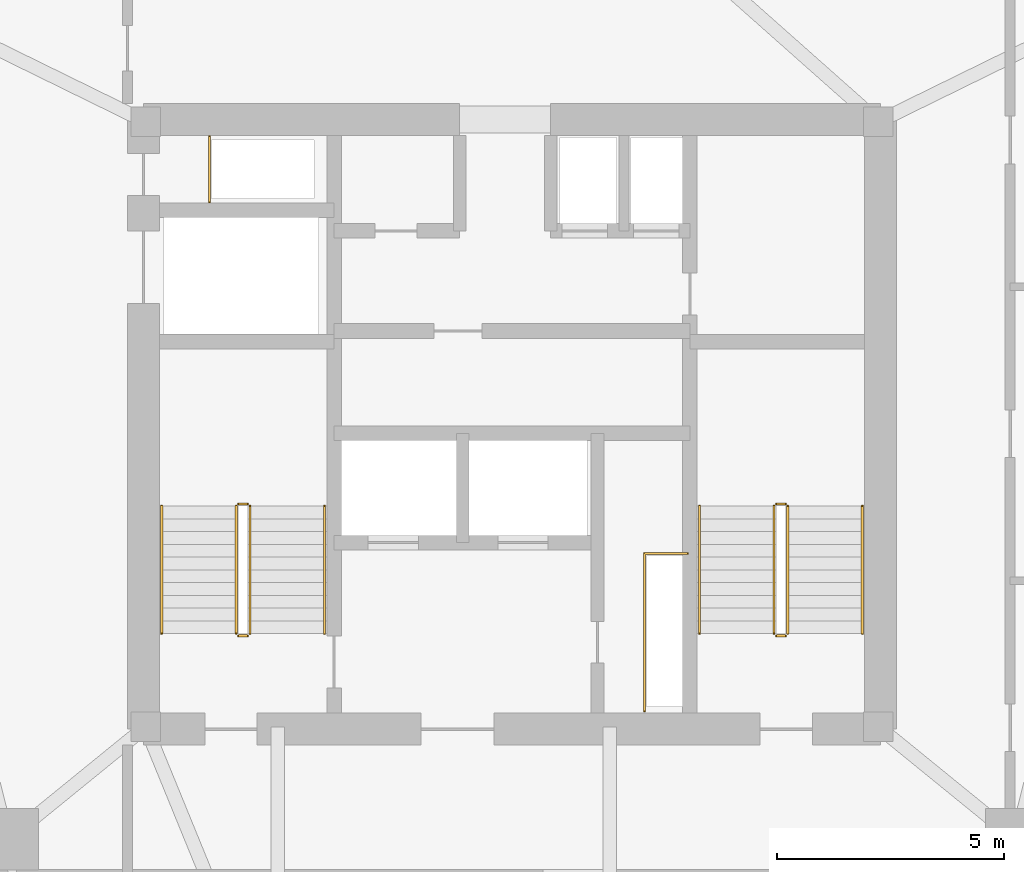
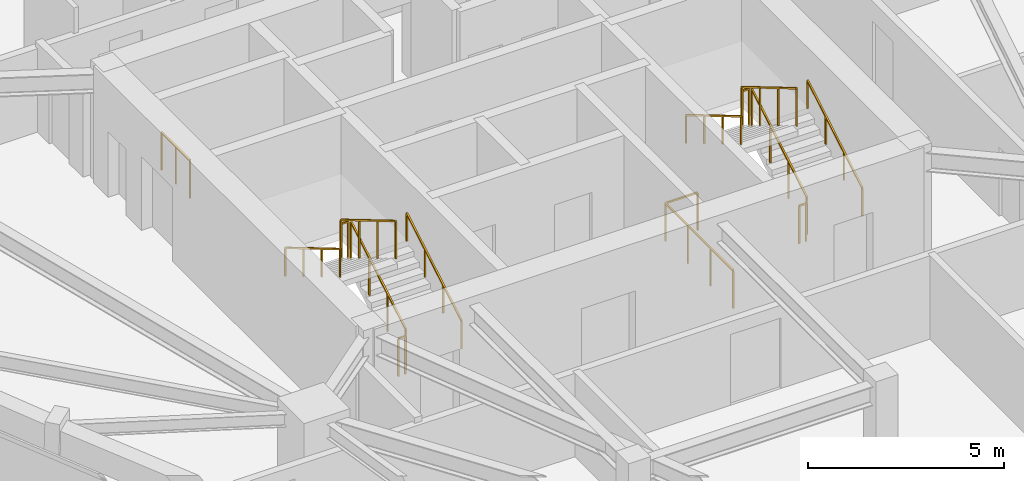
# One storey, part 12 of 12: 14 railings.
"""IFC4 building model written with IfcOpenShell, lengths in metres."""

from ifc_helpers import new_model, si_unit, direction, frame, origin, origin_2d, place, context, subcontext, project, spatial, rectangle, extrude, material, type_object, element, save


model = new_model("IFC4")

# Units and contexts
model_context = context("Model", 3, precision=1e-05, world=origin(), true_north=direction((0.0, 1.0)))
body_context = subcontext(model_context, "Body", "Model", "MODEL_VIEW")
ifc_project = project(units=[si_unit("LENGTHUNIT", "METRE"), si_unit("AREAUNIT", "SQUARE_METRE"), si_unit("VOLUMEUNIT", "CUBIC_METRE"), si_unit("PLANEANGLEUNIT", "RADIAN"), si_unit("MASSUNIT", "GRAM", prefix="KILO")], contexts=[model_context])

# Site, building, storey
site_placement = place(None, origin())
site = spatial("IfcSite", under=ifc_project, at=site_placement, CompositionType="ELEMENT")
building_placement = place(site_placement, origin())
building = spatial("IfcBuilding", under=site, at=building_placement, Name="Talyreon Biosciences Tower", CompositionType="ELEMENT")
storey_placement = place(building_placement, frame((0.0, 0.0, 186.699951171875)))
storey = spatial("IfcBuildingStorey", under=building, at=storey_placement, Name="L49", CompositionType="ELEMENT", Elevation=186.699951171875)

# Railings
ifc_material_1 = material(Name="Brushed stainless-steel tubular handrail", Category="steel")
railing_type_1 = type_object("IfcRailingType", Name="StairWallHandrail_900", PredefinedType="HANDRAIL", material=ifc_material_1)
railing_1_placement = place(storey_placement, frame((61.8798828125, 63.39990234375, 0.166015625)))
element("IfcRailing", 1, at=railing_1_placement, inside=storey, type_object=railing_type_1, Name="L49 ST-1 stair handrail 1", PredefinedType="HANDRAIL", context=body_context, shape_type="SweptSolid", body=[
    extrude(rectangle(XDim=0.048095703125, YDim=0.048095703125, at=origin_2d()), frame((0.0, 0.0, 0.8759765625), z_axis=(0.0, 0.860339051648, 0.50972219513), x_axis=(-1.0, 0.0, 0.0)), (0.0, 0.0, 1.0), 3.254638671875),
    extrude(rectangle(XDim=0.0419921875, YDim=0.0419921875, at=origin_2d()), origin(), (0.0, 0.0, 1.0), 0.851806640625),
    extrude(rectangle(XDim=0.0419921875, YDim=0.0419921875, at=origin_2d()), frame((0.0, 0.933349609375, 0.552978515625)), (0.0, 0.0, 1.0), 0.851806640625),
    extrude(rectangle(XDim=0.0419921875, YDim=0.0419921875, at=origin_2d()), frame((0.0, 1.86669921875, 1.10595703125)), (0.0, 0.0, 1.0), 0.851806640625),
    extrude(rectangle(XDim=0.0419921875, YDim=0.0419921875, at=origin_2d()), frame((0.0, 2.800048828125, 1.658935546875)), (0.0, 0.0, 1.0), 0.851806640625),
])
railing_2_placement = place(storey_placement, frame((58.300048828125, 66.199951171875, 1.990966796875)))
element("IfcRailing", 2, at=railing_2_placement, inside=storey, type_object=railing_type_1, Name="L49 ST-1 stair handrail 2", PredefinedType="HANDRAIL", context=body_context, shape_type="SweptSolid", body=[
    extrude(rectangle(XDim=0.048095703125, YDim=0.048095703125, at=origin_2d()), frame((0.0, 0.0, 0.8759765625), z_axis=(0.0, -0.860306154799, 0.50977771628), x_axis=(1.0, 0.0, 0.0)), (0.0, 0.0, 1.0), 3.254638671875),
    extrude(rectangle(XDim=0.0419921875, YDim=0.0419921875, at=origin_2d()), origin(), (0.0, 0.0, 1.0), 0.851806640625),
    extrude(rectangle(XDim=0.0419921875, YDim=0.0419921875, at=origin_2d()), frame((0.0, -0.933349609375, 0.552978515625)), (0.0, 0.0, 1.0), 0.851806640625),
    extrude(rectangle(XDim=0.0419921875, YDim=0.0419921875, at=origin_2d()), frame((0.0, -1.86669921875, 1.106201171875)), (0.0, 0.0, 1.0), 0.851806640625),
    extrude(rectangle(XDim=0.0419921875, YDim=0.0419921875, at=origin_2d()), frame((0.0, -2.800048828125, 1.6591796875)), (0.0, 0.0, 1.0), 0.851806640625),
])
railing_3_placement = place(storey_placement, frame((73.699951171875, 63.39990234375, 0.166015625)))
element("IfcRailing", 3, at=railing_3_placement, inside=storey, type_object=railing_type_1, Name="L49 ST-2 stair handrail 1", PredefinedType="HANDRAIL", context=body_context, shape_type="SweptSolid", body=[
    extrude(rectangle(XDim=0.048095703125, YDim=0.048095703125, at=origin_2d()), frame((0.0, 0.0, 0.8759765625), z_axis=(0.0, 0.860339051648, 0.50972219513), x_axis=(-1.0, 0.0, 0.0)), (0.0, 0.0, 1.0), 3.254638671875),
    extrude(rectangle(XDim=0.0419921875, YDim=0.0419921875, at=origin_2d()), origin(), (0.0, 0.0, 1.0), 0.851806640625),
    extrude(rectangle(XDim=0.0419921875, YDim=0.0419921875, at=origin_2d()), frame((0.0, 0.933349609375, 0.552978515625)), (0.0, 0.0, 1.0), 0.851806640625),
    extrude(rectangle(XDim=0.0419921875, YDim=0.0419921875, at=origin_2d()), frame((0.0, 1.86669921875, 1.10595703125)), (0.0, 0.0, 1.0), 0.851806640625),
    extrude(rectangle(XDim=0.0419921875, YDim=0.0419921875, at=origin_2d()), frame((0.0, 2.800048828125, 1.658935546875)), (0.0, 0.0, 1.0), 0.851806640625),
])
railing_4_placement = place(storey_placement, frame((70.1201171875, 66.199951171875, 1.990966796875)))
element("IfcRailing", 4, at=railing_4_placement, inside=storey, type_object=railing_type_1, Name="L49 ST-2 stair handrail 2", PredefinedType="HANDRAIL", context=body_context, shape_type="SweptSolid", body=[
    extrude(rectangle(XDim=0.048095703125, YDim=0.048095703125, at=origin_2d()), frame((0.0, 0.0, 0.8759765625), z_axis=(0.0, -0.860306154799, 0.50977771628), x_axis=(1.0, 0.0, 0.0)), (0.0, 0.0, 1.0), 3.254638671875),
    extrude(rectangle(XDim=0.0419921875, YDim=0.0419921875, at=origin_2d()), origin(), (0.0, 0.0, 1.0), 0.851806640625),
    extrude(rectangle(XDim=0.0419921875, YDim=0.0419921875, at=origin_2d()), frame((0.0, -0.933349609375, 0.552978515625)), (0.0, 0.0, 1.0), 0.851806640625),
    extrude(rectangle(XDim=0.0419921875, YDim=0.0419921875, at=origin_2d()), frame((0.0, -1.86669921875, 1.106201171875)), (0.0, 0.0, 1.0), 0.851806640625),
    extrude(rectangle(XDim=0.0419921875, YDim=0.0419921875, at=origin_2d()), frame((0.0, -2.800048828125, 1.6591796875)), (0.0, 0.0, 1.0), 0.851806640625),
])
ifc_material_2 = material(Name="Painted galvanised steel post-and-rail balustrade", Category="steel")
railing_type_2 = type_object("IfcRailingType", Name="TerraceStairGuard_1200", PredefinedType="GUARDRAIL", material=ifc_material_2)
railing_5_placement = place(storey_placement, frame((60.239990234375, 63.39990234375, 0.166015625)))
element("IfcRailing", 5, at=railing_5_placement, inside=storey, type_object=railing_type_2, Name="L49 ST-1 stair guard 1", PredefinedType="GUARDRAIL", context=body_context, shape_type="SweptSolid", body=[
    extrude(rectangle(XDim=0.048095703125, YDim=0.048095703125, at=origin_2d()), frame((0.0, 0.0, 1.17578125), z_axis=(0.0, 0.860339051648, 0.50972219513), x_axis=(-1.0, 0.0, 0.0)), (0.0, 0.0, 1.0), 3.254638671875),
    extrude(rectangle(XDim=0.0419921875, YDim=0.0419921875, at=origin_2d()), origin(), (0.0, 0.0, 1.0), 1.15185546875),
    extrude(rectangle(XDim=0.0419921875, YDim=0.0419921875, at=origin_2d()), frame((0.0, 0.933349609375, 0.552978515625)), (0.0, 0.0, 1.0), 1.15185546875),
    extrude(rectangle(XDim=0.0419921875, YDim=0.0419921875, at=origin_2d()), frame((0.0, 1.86669921875, 1.10595703125)), (0.0, 0.0, 1.0), 1.15185546875),
    extrude(rectangle(XDim=0.0419921875, YDim=0.0419921875, at=origin_2d()), frame((0.0, 2.800048828125, 1.658935546875)), (0.0, 0.0, 1.0), 1.15185546875),
])
railing_6_placement = place(storey_placement, frame((60.18994140625, 66.25, 1.824951171875)))
element("IfcRailing", 6, at=railing_6_placement, inside=storey, type_object=railing_type_2, Name="L49 ST-1 stair guard 2", PredefinedType="GUARDRAIL", context=body_context, shape_type="SweptSolid", body=[
    extrude(rectangle(XDim=0.048095703125, YDim=0.048095703125, at=origin_2d()), frame((0.0, 0.0, 1.17578125), z_axis=(-1.0, 0.0, 0.0), x_axis=(0.0, -1.0, 0.0)), (0.0, 0.0, 1.0), 0.199951171875),
    extrude(rectangle(XDim=0.0419921875, YDim=0.0419921875, at=origin_2d()), origin(), (0.0, 0.0, 1.0), 1.15185546875),
    extrude(rectangle(XDim=0.0419921875, YDim=0.0419921875, at=origin_2d()), frame((-0.199951171875, 0.0, 0.0)), (0.0, 0.0, 1.0), 1.15185546875),
])
railing_7_placement = place(storey_placement, frame((59.93994140625, 66.199951171875, 1.990966796875)))
element("IfcRailing", 7, at=railing_7_placement, inside=storey, type_object=railing_type_2, Name="L49 ST-1 stair guard 3", PredefinedType="GUARDRAIL", context=body_context, shape_type="SweptSolid", body=[
    extrude(rectangle(XDim=0.048095703125, YDim=0.048095703125, at=origin_2d()), frame((0.0, 0.0, 1.17578125), z_axis=(0.0, -0.860306154799, 0.50977771628), x_axis=(1.0, 0.0, 0.0)), (0.0, 0.0, 1.0), 3.254638671875),
    extrude(rectangle(XDim=0.0419921875, YDim=0.0419921875, at=origin_2d()), origin(), (0.0, 0.0, 1.0), 1.15185546875),
    extrude(rectangle(XDim=0.0419921875, YDim=0.0419921875, at=origin_2d()), frame((0.0, -0.933349609375, 0.552978515625)), (0.0, 0.0, 1.0), 1.15185546875),
    extrude(rectangle(XDim=0.0419921875, YDim=0.0419921875, at=origin_2d()), frame((0.0, -1.86669921875, 1.106201171875)), (0.0, 0.0, 1.0), 1.15185546875),
    extrude(rectangle(XDim=0.0419921875, YDim=0.0419921875, at=origin_2d()), frame((0.0, -2.800048828125, 1.6591796875)), (0.0, 0.0, 1.0), 1.15185546875),
])
railing_8_placement = place(storey_placement, frame((60.18994140625, 63.35009765625, 0.0)))
element("IfcRailing", 8, at=railing_8_placement, inside=storey, type_object=railing_type_2, Name="L49 ST-1 stair guard 4", PredefinedType="GUARDRAIL", context=body_context, shape_type="SweptSolid", body=[
    extrude(rectangle(XDim=0.048095703125, YDim=0.048095703125, at=origin_2d()), frame((0.0, 0.0, 1.17578125), z_axis=(-1.0, 0.0, 0.0), x_axis=(0.0, -1.0, 0.0)), (0.0, 0.0, 1.0), 0.199951171875),
    extrude(rectangle(XDim=0.0419921875, YDim=0.0419921875, at=origin_2d()), origin(), (0.0, 0.0, 1.0), 1.15185546875),
    extrude(rectangle(XDim=0.0419921875, YDim=0.0419921875, at=origin_2d()), frame((-0.199951171875, 0.0, 0.0)), (0.0, 0.0, 1.0), 1.15185546875),
])
railing_9_placement = place(storey_placement, frame((72.06005859375, 63.39990234375, 0.166015625)))
element("IfcRailing", 9, at=railing_9_placement, inside=storey, type_object=railing_type_2, Name="L49 ST-2 stair guard 1", PredefinedType="GUARDRAIL", context=body_context, shape_type="SweptSolid", body=[
    extrude(rectangle(XDim=0.048095703125, YDim=0.048095703125, at=origin_2d()), frame((0.0, 0.0, 1.17578125), z_axis=(0.0, 0.860339051648, 0.50972219513), x_axis=(-1.0, 0.0, 0.0)), (0.0, 0.0, 1.0), 3.254638671875),
    extrude(rectangle(XDim=0.0419921875, YDim=0.0419921875, at=origin_2d()), origin(), (0.0, 0.0, 1.0), 1.15185546875),
    extrude(rectangle(XDim=0.0419921875, YDim=0.0419921875, at=origin_2d()), frame((0.0, 0.933349609375, 0.552978515625)), (0.0, 0.0, 1.0), 1.15185546875),
    extrude(rectangle(XDim=0.0419921875, YDim=0.0419921875, at=origin_2d()), frame((0.0, 1.86669921875, 1.10595703125)), (0.0, 0.0, 1.0), 1.15185546875),
    extrude(rectangle(XDim=0.0419921875, YDim=0.0419921875, at=origin_2d()), frame((0.0, 2.800048828125, 1.658935546875)), (0.0, 0.0, 1.0), 1.15185546875),
])
railing_10_placement = place(storey_placement, frame((72.010009765625, 66.25, 1.824951171875)))
element("IfcRailing", 10, at=railing_10_placement, inside=storey, type_object=railing_type_2, Name="L49 ST-2 stair guard 2", PredefinedType="GUARDRAIL", context=body_context, shape_type="SweptSolid", body=[
    extrude(rectangle(XDim=0.048095703125, YDim=0.048095703125, at=origin_2d()), frame((0.0, 0.0, 1.17578125), z_axis=(-1.0, 0.0, 0.0), x_axis=(0.0, -1.0, 0.0)), (0.0, 0.0, 1.0), 0.199951171875),
    extrude(rectangle(XDim=0.0419921875, YDim=0.0419921875, at=origin_2d()), origin(), (0.0, 0.0, 1.0), 1.15185546875),
    extrude(rectangle(XDim=0.0419921875, YDim=0.0419921875, at=origin_2d()), frame((-0.199951171875, 0.0, 0.0)), (0.0, 0.0, 1.0), 1.15185546875),
])
railing_11_placement = place(storey_placement, frame((71.760009765625, 66.199951171875, 1.990966796875)))
element("IfcRailing", 11, at=railing_11_placement, inside=storey, type_object=railing_type_2, Name="L49 ST-2 stair guard 3", PredefinedType="GUARDRAIL", context=body_context, shape_type="SweptSolid", body=[
    extrude(rectangle(XDim=0.048095703125, YDim=0.048095703125, at=origin_2d()), frame((0.0, 0.0, 1.17578125), z_axis=(0.0, -0.860306154799, 0.50977771628), x_axis=(1.0, 0.0, 0.0)), (0.0, 0.0, 1.0), 3.254638671875),
    extrude(rectangle(XDim=0.0419921875, YDim=0.0419921875, at=origin_2d()), origin(), (0.0, 0.0, 1.0), 1.15185546875),
    extrude(rectangle(XDim=0.0419921875, YDim=0.0419921875, at=origin_2d()), frame((0.0, -0.933349609375, 0.552978515625)), (0.0, 0.0, 1.0), 1.15185546875),
    extrude(rectangle(XDim=0.0419921875, YDim=0.0419921875, at=origin_2d()), frame((0.0, -1.86669921875, 1.106201171875)), (0.0, 0.0, 1.0), 1.15185546875),
    extrude(rectangle(XDim=0.0419921875, YDim=0.0419921875, at=origin_2d()), frame((0.0, -2.800048828125, 1.6591796875)), (0.0, 0.0, 1.0), 1.15185546875),
])
railing_12_placement = place(storey_placement, frame((72.010009765625, 63.35009765625, 0.0)))
element("IfcRailing", 12, at=railing_12_placement, inside=storey, type_object=railing_type_2, Name="L49 ST-2 stair guard 4", PredefinedType="GUARDRAIL", context=body_context, shape_type="SweptSolid", body=[
    extrude(rectangle(XDim=0.048095703125, YDim=0.048095703125, at=origin_2d()), frame((0.0, 0.0, 1.17578125), z_axis=(-1.0, 0.0, 0.0), x_axis=(0.0, -1.0, 0.0)), (0.0, 0.0, 1.0), 0.199951171875),
    extrude(rectangle(XDim=0.0419921875, YDim=0.0419921875, at=origin_2d()), origin(), (0.0, 0.0, 1.0), 1.15185546875),
    extrude(rectangle(XDim=0.0419921875, YDim=0.0419921875, at=origin_2d()), frame((-0.199951171875, 0.0, 0.0)), (0.0, 0.0, 1.0), 1.15185546875),
])
railing_13_placement = place(storey_placement, frame((59.35009765625, 72.8798828125, 0.0)))
element("IfcRailing", 13, at=railing_13_placement, inside=storey, type_object=railing_type_2, Name="L49 Exhaust Riser Maintenance Guardrail", PredefinedType="GUARDRAIL", context=body_context, shape_type="SweptSolid", body=[
    extrude(rectangle(XDim=0.048095703125, YDim=0.048095703125, at=origin_2d()), frame((0.0, 0.0, 1.17578125), z_axis=(0.0, 1.0, 0.0), x_axis=(-1.0, 0.0, 0.0)), (0.0, 0.0, 1.0), 1.4501953125),
    extrude(rectangle(XDim=0.0419921875, YDim=0.0419921875, at=origin_2d()), origin(), (0.0, 0.0, 1.0), 1.15185546875),
    extrude(rectangle(XDim=0.0419921875, YDim=0.0419921875, at=origin_2d()), frame((0.0, 0.72509765625, 0.0)), (0.0, 0.0, 1.0), 1.15185546875),
    extrude(rectangle(XDim=0.0419921875, YDim=0.0419921875, at=origin_2d()), frame((0.0, 1.4501953125, 0.0)), (0.0, 0.0, 1.0), 1.15185546875),
])
railing_14_placement = place(storey_placement, frame((68.909912109375, 61.699951171875, 0.0)))
element("IfcRailing", 14, at=railing_14_placement, inside=storey, type_object=railing_type_2, Name="L49 Electrical Riser Maintenance Guardrail", PredefinedType="GUARDRAIL", context=body_context, shape_type="SweptSolid", body=[
    extrude(rectangle(XDim=0.048095703125, YDim=0.048095703125, at=origin_2d()), frame((0.0, 0.0, 1.17578125), z_axis=(0.0, 1.0, 0.0), x_axis=(-1.0, 0.0, 0.0)), (0.0, 0.0, 1.0), 3.4599609375),
    extrude(rectangle(XDim=0.048095703125, YDim=0.048095703125, at=origin_2d()), frame((0.0, 3.4599609375, 1.17578125), z_axis=(1.0, 0.0, 0.0), x_axis=(0.0, 1.0, 0.0)), (0.0, 0.0, 1.0), 0.9501953125),
    extrude(rectangle(XDim=0.0419921875, YDim=0.0419921875, at=origin_2d()), origin(), (0.0, 0.0, 1.0), 1.15185546875),
    extrude(rectangle(XDim=0.0419921875, YDim=0.0419921875, at=origin_2d()), frame((0.0, 1.1533203125, 0.0)), (0.0, 0.0, 1.0), 1.15185546875),
    extrude(rectangle(XDim=0.0419921875, YDim=0.0419921875, at=origin_2d()), frame((0.0, 2.306640625, 0.0)), (0.0, 0.0, 1.0), 1.15185546875),
    extrude(rectangle(XDim=0.0419921875, YDim=0.0419921875, at=origin_2d()), frame((0.0, 3.4599609375, 0.0)), (0.0, 0.0, 1.0), 1.15185546875),
    extrude(rectangle(XDim=0.0419921875, YDim=0.0419921875, at=origin_2d()), frame((0.9501953125, 3.4599609375, 0.0)), (0.0, 0.0, 1.0), 1.15185546875),
])

save(model, "model.ifc")
